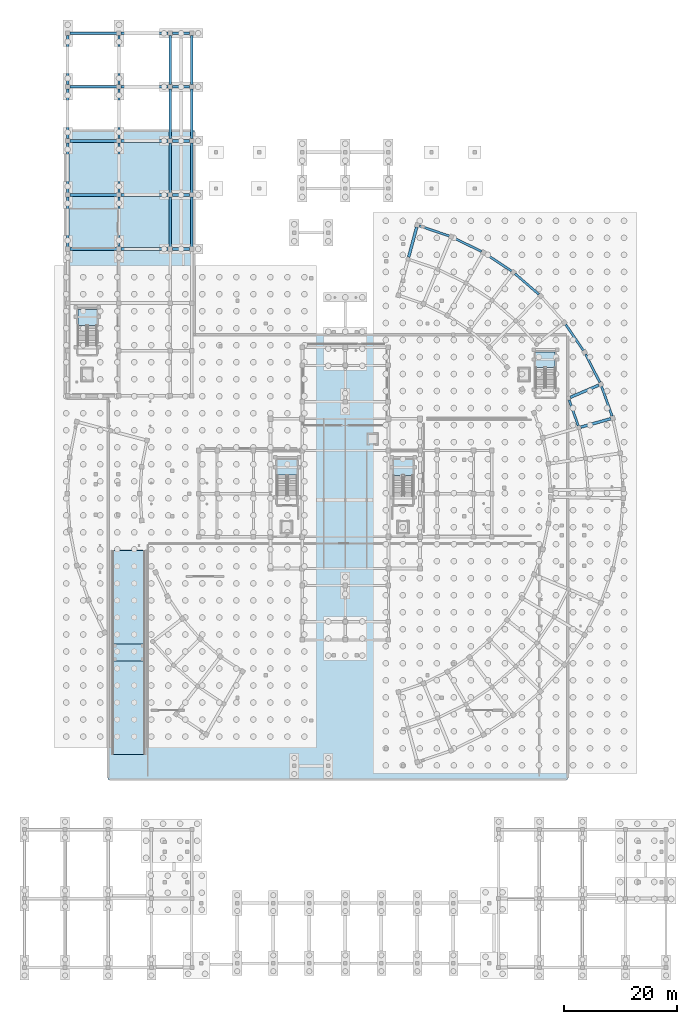
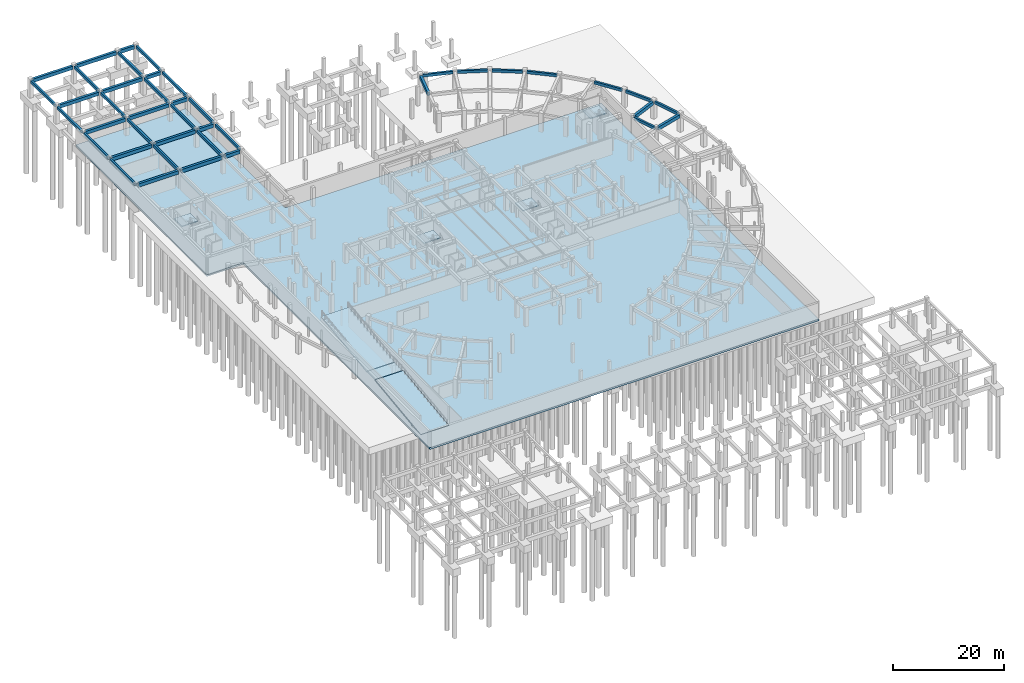
# One storey, part 21 of 33: 42 beams, 8 slabs, 4 elements without a shape of their own.
"""IFC4 building model written with IfcOpenShell, lengths in metres."""

from ifc_helpers import new_model, si_unit, direction, frame, origin, origin_2d, place, context, subcontext, project, spatial, polyline, rectangle, outline, extrude, material, layer, layer_set, material_profile, profile_set, type_object, element, aggregate, save


model = new_model("IFC4")

# Units and contexts
model_context = context("Model", 3, precision=1e-05, world=origin(), true_north=direction((0.0, 1.0)))
body_context = subcontext(model_context, "Body", "Model", "MODEL_VIEW")
ifc_project = project(units=[si_unit("LENGTHUNIT", "METRE"), si_unit("AREAUNIT", "SQUARE_METRE"), si_unit("VOLUMEUNIT", "CUBIC_METRE"), si_unit("PLANEANGLEUNIT", "RADIAN"), si_unit("MASSUNIT", "GRAM", prefix="KILO")], contexts=[model_context])

# Site, building, storey
site_placement = place(None, origin())
site = spatial("IfcSite", under=ifc_project, at=site_placement, CompositionType="ELEMENT")
building_placement = place(site_placement, origin())
building = spatial("IfcBuilding", under=site, at=building_placement, Name="Saryqyr Civic Hall", CompositionType="ELEMENT")
storey_placement = place(building_placement, frame((0.0, 0.0, -4.199951171875)))
storey = spatial("IfcBuildingStorey", under=building, at=storey_placement, Name="B1", CompositionType="ELEMENT", Elevation=-4.199951171875)

# Beams
ifc_material_1 = material(Name="Concrete C35/45", Category="concrete")
ifc_material_profile_1 = material_profile(ifc_material_1, rectangle(XDim=0.39990234375, YDim=0.60009765625, at=origin_2d()), Name="RC 400x600")
ifc_profile_set_1 = profile_set([ifc_material_profile_1], Name="Concrete C35/45")
beam_type_1 = type_object("IfcBeamType", Name="STR-BM-RC400x600", PredefinedType="BEAM", material=ifc_profile_set_1)
beam_1_placement = place(storey_placement, frame((98.074462890625, 95.954833984375, 3.579833984375), z_axis=(-0.333214233521, 0.942851141262, 0.0), x_axis=(-0.942851141262, -0.333214233521, 0.0)))
element("IfcBeam", 1, at=beam_1_placement, inside=storey, type_object=beam_type_1, Name="Beam V6-CBM-MID02-B1", PredefinedType="BEAM", context=body_context, shape_type="SweptSolid", body=[
    extrude(rectangle(XDim=0.39990234375, YDim=0.60009765625, at=origin_2d()), origin(), (0.0, 0.0, 1.0), 4.82763671875),
])
for number, where, z_axis, x_axis, name in (
    (2, (8.050048828125, 127.5048828125, 3.579833984375), (0.0, 1.0, 0.0), (-1.0, 0.0, 0.0), "Beam V3-BM-NS-1-4-B1"),
    (3, (8.050048828125, 137.034912109375, 3.579833984375), (0.0, 1.0, 0.0), (-1.0, 0.0, 0.0), "Beam V3-BM-NS-1-5-B1"),
    (4, (8.050048828125, 146.56494140625, 3.579833984375), (0.0, 1.0, 0.0), (-1.0, 0.0, 0.0), "Beam V3-BM-NS-1-6-B1"),
):
    element("IfcBeam", number, at=place(storey_placement, frame(where, z_axis=z_axis, x_axis=x_axis)), inside=storey, type_object=beam_type_1, Name=name, PredefinedType="BEAM", context=body_context, shape_type="SweptSolid", body=[
        extrude(rectangle(XDim=0.39990234375, YDim=0.60009765625, at=origin_2d()), origin(), (0.0, 0.0, 1.0), 8.780029296875),
    ])
beam_2_placement = place(storey_placement, frame((8.050048828125, 156.094970703125, 3.579833984375), z_axis=(0.0, 1.0, 0.0), x_axis=(-1.0, 0.0, 0.0)))
element("IfcBeam", 5, at=beam_2_placement, inside=storey, type_object=beam_type_1, Name="Beam V3-BM-NS-1-7-B1", PredefinedType="BEAM", context=body_context, shape_type="SweptSolid", body=[
    extrude(rectangle(XDim=0.39990234375, YDim=0.60009765625, at=origin_2d()), origin(), (0.0, 0.0, 1.0), 8.679931640625),
])
for number, where, z_axis, x_axis, name in (
    (6, (17.10009765625, 127.5048828125, 3.579833984375), (0.0, 1.0, 0.0), (-1.0, 0.0, 0.0), "Beam V3-BM-NS-2-4-B1"),
    (7, (17.10009765625, 137.034912109375, 3.579833984375), (0.0, 1.0, 0.0), (-1.0, 0.0, 0.0), "Beam V3-BM-NS-2-5-B1"),
    (8, (17.10009765625, 146.56494140625, 3.579833984375), (0.0, 1.0, 0.0), (-1.0, 0.0, 0.0), "Beam V3-BM-NS-2-6-B1"),
):
    element("IfcBeam", number, at=place(storey_placement, frame(where, z_axis=z_axis, x_axis=x_axis)), inside=storey, type_object=beam_type_1, Name=name, PredefinedType="BEAM", context=body_context, shape_type="SweptSolid", body=[
        extrude(rectangle(XDim=0.39990234375, YDim=0.60009765625, at=origin_2d()), origin(), (0.0, 0.0, 1.0), 8.780029296875),
    ])
beam_3_placement = place(storey_placement, frame((17.10009765625, 156.094970703125, 3.579833984375), z_axis=(0.0, 1.0, 0.0), x_axis=(-1.0, 0.0, 0.0)))
element("IfcBeam", 9, at=beam_3_placement, inside=storey, type_object=beam_type_1, Name="Beam V3-BM-NS-2-7-B1", PredefinedType="BEAM", context=body_context, shape_type="SweptSolid", body=[
    extrude(rectangle(XDim=0.39990234375, YDim=0.60009765625, at=origin_2d()), origin(), (0.0, 0.0, 1.0), 8.679931640625),
])
for number, where, z_axis, x_axis, name in (
    (10, (26.14990234375, 127.5048828125, 3.579833984375), (0.0, 1.0, 0.0), (-1.0, 0.0, 0.0), "Beam V3-BM-NS-3-4-B1"),
    (11, (26.14990234375, 137.034912109375, 3.579833984375), (0.0, 1.0, 0.0), (-1.0, 0.0, 0.0), "Beam V3-BM-NS-3-5-B1"),
    (12, (26.14990234375, 146.56494140625, 3.579833984375), (0.0, 1.0, 0.0), (-1.0, 0.0, 0.0), "Beam V3-BM-NS-3-6-B1"),
):
    element("IfcBeam", number, at=place(storey_placement, frame(where, z_axis=z_axis, x_axis=x_axis)), inside=storey, type_object=beam_type_1, Name=name, PredefinedType="BEAM", context=body_context, shape_type="SweptSolid", body=[
        extrude(rectangle(XDim=0.39990234375, YDim=0.60009765625, at=origin_2d()), origin(), (0.0, 0.0, 1.0), 8.780029296875),
    ])
beam_4_placement = place(storey_placement, frame((26.14990234375, 156.094970703125, 3.579833984375), z_axis=(0.0, 1.0, 0.0), x_axis=(-1.0, 0.0, 0.0)))
element("IfcBeam", 13, at=beam_4_placement, inside=storey, type_object=beam_type_1, Name="Beam V3-BM-NS-3-7-B1", PredefinedType="BEAM", context=body_context, shape_type="SweptSolid", body=[
    extrude(rectangle(XDim=0.39990234375, YDim=0.60009765625, at=origin_2d()), origin(), (0.0, 0.0, 1.0), 8.679931640625),
])
for number, where, z_axis, x_axis, name in (
    (14, (29.949951171875, 127.5048828125, 3.579833984375), (0.0, 1.0, 0.0), (-1.0, 0.0, 0.0), "Beam V3-BM-NS-4-4-B1"),
    (15, (29.949951171875, 137.034912109375, 3.579833984375), (0.0, 1.0, 0.0), (-1.0, 0.0, 0.0), "Beam V3-BM-NS-4-5-B1"),
    (16, (29.949951171875, 146.56494140625, 3.579833984375), (0.0, 1.0, 0.0), (-1.0, 0.0, 0.0), "Beam V3-BM-NS-4-6-B1"),
):
    element("IfcBeam", number, at=place(storey_placement, frame(where, z_axis=z_axis, x_axis=x_axis)), inside=storey, type_object=beam_type_1, Name=name, PredefinedType="BEAM", context=body_context, shape_type="SweptSolid", body=[
        extrude(rectangle(XDim=0.39990234375, YDim=0.60009765625, at=origin_2d()), origin(), (0.0, 0.0, 1.0), 8.780029296875),
    ])
beam_5_placement = place(storey_placement, frame((29.949951171875, 156.094970703125, 3.579833984375), z_axis=(0.0, 1.0, 0.0), x_axis=(-1.0, 0.0, 0.0)))
element("IfcBeam", 17, at=beam_5_placement, inside=storey, type_object=beam_type_1, Name="Beam V3-BM-NS-4-7-B1", PredefinedType="BEAM", context=body_context, shape_type="SweptSolid", body=[
    extrude(rectangle(XDim=0.39990234375, YDim=0.60009765625, at=origin_2d()), origin(), (0.0, 0.0, 1.0), 8.679931640625),
])
ifc_material_profile_2 = material_profile(ifc_material_1, rectangle(XDim=0.39990234375, YDim=0.60009765625, at=origin_2d()), Name="RC 400x600")
ifc_profile_set_2 = profile_set([ifc_material_profile_2], Name="Concrete C35/45")
beam_type_2 = type_object("IfcBeamType", Name="STR-BM-RC400x600-EXT", PredefinedType="BEAM", material=ifc_profile_set_2)
beam_6_placement = place(storey_placement, frame((104.033203125, 97.662353515625, 3.579833984375), z_axis=(-0.33321840695, 0.942849666315, 0.0), x_axis=(-0.942849666315, -0.33321840695, 0.0)))
element("IfcBeam", 18, at=beam_6_placement, inside=storey, type_object=beam_type_2, Name="Beam V6-CBM-OUT02-B1", PredefinedType="BEAM", context=body_context, shape_type="SweptSolid", body=[
    extrude(rectangle(XDim=0.39990234375, YDim=0.60009765625, at=origin_2d()), origin(), (0.0, 0.0, 1.0), 5.57861328125),
])
beam_7_placement = place(storey_placement, frame((101.8798828125, 103.610107421875, 3.579833984375), z_axis=(-0.451916501915, 0.892060241966, 0.0), x_axis=(-0.892060241966, -0.451916501915, 0.0)))
element("IfcBeam", 19, at=beam_7_placement, inside=storey, type_object=beam_type_2, Name="Beam V6-CBM-OUT03-B1", PredefinedType="BEAM", context=body_context, shape_type="SweptSolid", body=[
    extrude(rectangle(XDim=0.39990234375, YDim=0.60009765625, at=origin_2d()), origin(), (0.0, 0.0, 1.0), 5.578369140625),
])
beam_8_placement = place(storey_placement, frame((98.978271484375, 109.230712890625, 3.579833984375), z_axis=(-0.563104590572, 0.826385636417, 0.0), x_axis=(-0.826385636417, -0.563104590572, 0.0)))
element("IfcBeam", 20, at=beam_8_placement, inside=storey, type_object=beam_type_2, Name="Beam V6-CBM-OUT04-B1", PredefinedType="BEAM", context=body_context, shape_type="SweptSolid", body=[
    extrude(rectangle(XDim=0.39990234375, YDim=0.60009765625, at=origin_2d()), origin(), (0.0, 0.0, 1.0), 5.57861328125),
])
beam_9_placement = place(storey_placement, frame((91.13427734375, 119.122802734375, 3.579833984375), z_axis=(-0.755642872399, 0.654983854299, 0.0), x_axis=(-0.654983854299, -0.755642872399, 0.0)))
element("IfcBeam", 21, at=beam_9_placement, inside=storey, type_object=beam_type_2, Name="Beam V6-CBM-OUT06-B1", PredefinedType="BEAM", context=body_context, shape_type="SweptSolid", body=[
    extrude(rectangle(XDim=0.39990234375, YDim=0.60009765625, at=origin_2d()), origin(), (0.0, 0.0, 1.0), 5.578369140625),
])
beam_10_placement = place(storey_placement, frame((86.322998046875, 123.229248046875, 3.579833984375), z_axis=(-0.833756519885, 0.552132289899, 0.0), x_axis=(-0.552132289899, -0.833756519885, 0.0)))
element("IfcBeam", 22, at=beam_10_placement, inside=storey, type_object=beam_type_2, Name="Beam V6-CBM-OUT07-B1", PredefinedType="BEAM", context=body_context, shape_type="SweptSolid", body=[
    extrude(rectangle(XDim=0.39990234375, YDim=0.60009765625, at=origin_2d()), origin(), (0.0, 0.0, 1.0), 5.57861328125),
])
beam_11_placement = place(storey_placement, frame((81.0224609375, 126.681396484375, 3.579833984375), z_axis=(-0.897987188785, 0.440021600353, 0.0), x_axis=(-0.440021600353, -0.897987188785, 0.0)))
element("IfcBeam", 23, at=beam_11_placement, inside=storey, type_object=beam_type_2, Name="Beam V6-CBM-OUT08-B1", PredefinedType="BEAM", context=body_context, shape_type="SweptSolid", body=[
    extrude(rectangle(XDim=0.39990234375, YDim=0.60009765625, at=origin_2d()), origin(), (0.0, 0.0, 1.0), 5.578369140625),
])
beam_12_placement = place(storey_placement, frame((75.3212890625, 129.42138671875, 3.579833984375), z_axis=(-0.947193680786, 0.320662020012, 0.0), x_axis=(-0.320662020012, -0.947193680786, 0.0)))
element("IfcBeam", 24, at=beam_12_placement, inside=storey, type_object=beam_type_2, Name="Beam V6-CBM-OUT09-B1", PredefinedType="BEAM", context=body_context, shape_type="SweptSolid", body=[
    extrude(rectangle(XDim=0.39990234375, YDim=0.60009765625, at=origin_2d()), origin(), (0.0, 0.0, 1.0), 5.57861328125),
])
ifc_material_2 = material(Name="Concrete C40/50", Category="concrete")
ifc_material_profile_3 = material_profile(ifc_material_2, rectangle(XDim=0.5, YDim=0.75, at=origin_2d()), Name="RC 500x750")
ifc_profile_set_3 = profile_set([ifc_material_profile_3], Name="Concrete C40/50")
beam_type_3 = type_object("IfcBeamType", Name="STR-BM-RC500x750", PredefinedType="BEAM", material=ifc_profile_set_3)
beam_13_placement = place(storey_placement, frame((98.52783203125, 95.719970703125, 3.5048828125), z_axis=(0.962420694105, 0.27156289798, 0.0), x_axis=(-0.27156289798, 0.962420694105, 0.0)))
element("IfcBeam", 25, at=beam_13_placement, inside=storey, type_object=beam_type_3, Name="Beam V6-RBM-B02-B1", PredefinedType="BEAM", context=body_context, shape_type="SweptSolid", body=[
    extrude(rectangle(XDim=0.5, YDim=0.75, at=origin_2d()), origin(), (0.0, 0.0, 1.0), 5.47509765625),
])
beam_14_placement = place(storey_placement, frame((96.671142578125, 100.974365234375, 3.5048828125), z_axis=(0.91936861433, 0.393397192396, 0.0), x_axis=(-0.393397192396, 0.91936861433, 0.0)))
element("IfcBeam", 26, at=beam_14_placement, inside=storey, type_object=beam_type_3, Name="Beam V6-RBM-B03-B1", PredefinedType="BEAM", context=body_context, shape_type="SweptSolid", body=[
    extrude(rectangle(XDim=0.5, YDim=0.75, at=origin_2d()), origin(), (0.0, 0.0, 1.0), 5.474853515625),
])
beam_15_placement = place(storey_placement, frame((68.168212890625, 125.6796875, 3.5048828125), z_axis=(0.258764317977, 0.965940488716, 0.0), x_axis=(-0.965940488716, 0.258764317977, 0.0)))
element("IfcBeam", 27, at=beam_15_placement, inside=storey, type_object=beam_type_3, Name="Beam V6-RBM-B10-B1", PredefinedType="BEAM", context=body_context, shape_type="SweptSolid", body=[
    extrude(rectangle(XDim=0.5, YDim=0.75, at=origin_2d()), origin(), (0.0, 0.0, 1.0), 5.47509765625),
])
beam_16_placement = place(storey_placement, frame((8.425048828125, 127.1298828125, 3.5048828125), z_axis=(1.0, 0.0, 0.0), x_axis=(0.0, 1.0, 0.0)))
element("IfcBeam", 28, at=beam_16_placement, inside=storey, type_object=beam_type_3, Name="Beam V3-BM-EW-4-1-B1", PredefinedType="BEAM", context=body_context, shape_type="SweptSolid", body=[
    extrude(rectangle(XDim=0.5, YDim=0.75, at=origin_2d()), origin(), (0.0, 0.0, 1.0), 8.300048828125),
])
beam_17_placement = place(storey_placement, frame((17.47509765625, 127.1298828125, 3.5048828125), z_axis=(1.0, 0.0, 0.0), x_axis=(0.0, 1.0, 0.0)))
element("IfcBeam", 29, at=beam_17_placement, inside=storey, type_object=beam_type_3, Name="Beam V3-BM-EW-4-2-B1", PredefinedType="BEAM", context=body_context, shape_type="SweptSolid", body=[
    extrude(rectangle(XDim=0.5, YDim=0.75, at=origin_2d()), origin(), (0.0, 0.0, 1.0), 8.2998046875),
])
beam_18_placement = place(storey_placement, frame((26.52490234375, 127.1298828125, 3.5048828125), z_axis=(1.0, 0.0, 0.0), x_axis=(0.0, 1.0, 0.0)))
element("IfcBeam", 30, at=beam_18_placement, inside=storey, type_object=beam_type_3, Name="Beam V3-BM-EW-4-3-B1", PredefinedType="BEAM", context=body_context, shape_type="SweptSolid", body=[
    extrude(rectangle(XDim=0.5, YDim=0.75, at=origin_2d()), origin(), (0.0, 0.0, 1.0), 3.050048828125),
])
beam_19_placement = place(storey_placement, frame((8.425048828125, 136.659912109375, 3.5048828125), z_axis=(1.0, 0.0, 0.0), x_axis=(0.0, 1.0, 0.0)))
element("IfcBeam", 31, at=beam_19_placement, inside=storey, type_object=beam_type_3, Name="Beam V3-BM-EW-5-1-B1", PredefinedType="BEAM", context=body_context, shape_type="SweptSolid", body=[
    extrude(rectangle(XDim=0.5, YDim=0.75, at=origin_2d()), origin(), (0.0, 0.0, 1.0), 8.300048828125),
])
beam_20_placement = place(storey_placement, frame((17.47509765625, 136.659912109375, 3.5048828125), z_axis=(1.0, 0.0, 0.0), x_axis=(0.0, 1.0, 0.0)))
element("IfcBeam", 32, at=beam_20_placement, inside=storey, type_object=beam_type_3, Name="Beam V3-BM-EW-5-2-B1", PredefinedType="BEAM", context=body_context, shape_type="SweptSolid", body=[
    extrude(rectangle(XDim=0.5, YDim=0.75, at=origin_2d()), origin(), (0.0, 0.0, 1.0), 8.2998046875),
])
beam_21_placement = place(storey_placement, frame((26.52490234375, 136.659912109375, 3.5048828125), z_axis=(1.0, 0.0, 0.0), x_axis=(0.0, 1.0, 0.0)))
element("IfcBeam", 33, at=beam_21_placement, inside=storey, type_object=beam_type_3, Name="Beam V3-BM-EW-5-3-B1", PredefinedType="BEAM", context=body_context, shape_type="SweptSolid", body=[
    extrude(rectangle(XDim=0.5, YDim=0.75, at=origin_2d()), origin(), (0.0, 0.0, 1.0), 3.050048828125),
])
beam_22_placement = place(storey_placement, frame((8.425048828125, 146.18994140625, 3.5048828125), z_axis=(1.0, 0.0, 0.0), x_axis=(0.0, 1.0, 0.0)))
element("IfcBeam", 34, at=beam_22_placement, inside=storey, type_object=beam_type_3, Name="Beam V3-BM-EW-6-1-B1", PredefinedType="BEAM", context=body_context, shape_type="SweptSolid", body=[
    extrude(rectangle(XDim=0.5, YDim=0.75, at=origin_2d()), origin(), (0.0, 0.0, 1.0), 8.300048828125),
])
beam_23_placement = place(storey_placement, frame((17.47509765625, 146.18994140625, 3.5048828125), z_axis=(1.0, 0.0, 0.0), x_axis=(0.0, 1.0, 0.0)))
element("IfcBeam", 35, at=beam_23_placement, inside=storey, type_object=beam_type_3, Name="Beam V3-BM-EW-6-2-B1", PredefinedType="BEAM", context=body_context, shape_type="SweptSolid", body=[
    extrude(rectangle(XDim=0.5, YDim=0.75, at=origin_2d()), origin(), (0.0, 0.0, 1.0), 8.2998046875),
])
beam_24_placement = place(storey_placement, frame((26.52490234375, 146.18994140625, 3.5048828125), z_axis=(1.0, 0.0, 0.0), x_axis=(0.0, 1.0, 0.0)))
element("IfcBeam", 36, at=beam_24_placement, inside=storey, type_object=beam_type_3, Name="Beam V3-BM-EW-6-3-B1", PredefinedType="BEAM", context=body_context, shape_type="SweptSolid", body=[
    extrude(rectangle(XDim=0.5, YDim=0.75, at=origin_2d()), origin(), (0.0, 0.0, 1.0), 3.050048828125),
])
beam_25_placement = place(storey_placement, frame((8.425048828125, 155.719970703125, 3.5048828125), z_axis=(1.0, 0.0, 0.0), x_axis=(0.0, 1.0, 0.0)))
element("IfcBeam", 37, at=beam_25_placement, inside=storey, type_object=beam_type_3, Name="Beam V3-BM-EW-7-1-B1", PredefinedType="BEAM", context=body_context, shape_type="SweptSolid", body=[
    extrude(rectangle(XDim=0.5, YDim=0.75, at=origin_2d()), origin(), (0.0, 0.0, 1.0), 8.300048828125),
])
beam_26_placement = place(storey_placement, frame((17.47509765625, 155.719970703125, 3.5048828125), z_axis=(1.0, 0.0, 0.0), x_axis=(0.0, 1.0, 0.0)))
element("IfcBeam", 38, at=beam_26_placement, inside=storey, type_object=beam_type_3, Name="Beam V3-BM-EW-7-2-B1", PredefinedType="BEAM", context=body_context, shape_type="SweptSolid", body=[
    extrude(rectangle(XDim=0.5, YDim=0.75, at=origin_2d()), origin(), (0.0, 0.0, 1.0), 8.2998046875),
])
beam_27_placement = place(storey_placement, frame((26.52490234375, 155.719970703125, 3.5048828125), z_axis=(1.0, 0.0, 0.0), x_axis=(0.0, 1.0, 0.0)))
element("IfcBeam", 39, at=beam_27_placement, inside=storey, type_object=beam_type_3, Name="Beam V3-BM-EW-7-3-B1", PredefinedType="BEAM", context=body_context, shape_type="SweptSolid", body=[
    extrude(rectangle(XDim=0.5, YDim=0.75, at=origin_2d()), origin(), (0.0, 0.0, 1.0), 3.050048828125),
])
beam_28_placement = place(storey_placement, frame((8.425048828125, 165.14990234375, 3.5048828125), z_axis=(1.0, 0.0, 0.0), x_axis=(0.0, 1.0, 0.0)))
element("IfcBeam", 40, at=beam_28_placement, inside=storey, type_object=beam_type_3, Name="Beam V3-BM-EW-8-1-B1", PredefinedType="BEAM", context=body_context, shape_type="SweptSolid", body=[
    extrude(rectangle(XDim=0.5, YDim=0.75, at=origin_2d()), origin(), (0.0, 0.0, 1.0), 8.300048828125),
])
beam_29_placement = place(storey_placement, frame((17.47509765625, 165.14990234375, 3.5048828125), z_axis=(1.0, 0.0, 0.0), x_axis=(0.0, 1.0, 0.0)))
element("IfcBeam", 41, at=beam_29_placement, inside=storey, type_object=beam_type_3, Name="Beam V3-BM-EW-8-2-B1", PredefinedType="BEAM", context=body_context, shape_type="SweptSolid", body=[
    extrude(rectangle(XDim=0.5, YDim=0.75, at=origin_2d()), origin(), (0.0, 0.0, 1.0), 8.2998046875),
])
beam_30_placement = place(storey_placement, frame((26.52490234375, 165.14990234375, 3.5048828125), z_axis=(1.0, 0.0, 0.0), x_axis=(0.0, 1.0, 0.0)))
element("IfcBeam", 42, at=beam_30_placement, inside=storey, type_object=beam_type_3, Name="Beam V3-BM-EW-8-3-B1", PredefinedType="BEAM", context=body_context, shape_type="SweptSolid", body=[
    extrude(rectangle(XDim=0.5, YDim=0.75, at=origin_2d()), origin(), (0.0, 0.0, 1.0), 3.050048828125),
])

# Slabs
ifc_layer_1 = layer(ifc_material_1, 0.39990234375, Name="Concrete C35/45")
ifc_layer_set_1 = layer_set([ifc_layer_1], Name="Concrete C35/45")
slab_type_1 = type_object("IfcSlabType", Name="STR-SLB-BASE-400", PredefinedType="BASESLAB", material=ifc_layer_set_1)
slab_1_placement = place(storey_placement, frame((0.0, 0.0, -0.400146484375)))
element("IfcSlab", 43, at=slab_1_placement, inside=storey, type_object=slab_type_1, Name="Slab SLB-B1-MAT", PredefinedType="BASESLAB", context=body_context, shape_type="SweptSolid", body=[
    extrude(outline(polyline([(15.199951171875, 100.800048828125), (7.60009765625, 100.800048828125), (7.60009765625, 148.0), (30.39990234375, 148.0), (30.39990234375, 112.0), (96.199951171875, 112.0), (96.199951171875, 33.60009765625), (15.199951171875, 33.60009765625), (15.199951171875, 100.800048828125)]), holes=[polyline([(21.739990234375, 41.39990234375), (15.860107421875, 41.39990234375), (15.860107421875, 37.97998046875), (21.739990234375, 37.97998046875), (21.739990234375, 41.39990234375)])]), origin(), (0.0, 0.0, 1.0), 0.400146484375),
])
ifc_layer_2 = layer(ifc_material_1, 0.199951171875, Name="Concrete C35/45")
ifc_layer_set_2 = layer_set([ifc_layer_2], Name="Concrete C35/45")
slab_type_2 = type_object("IfcSlabType", Name="STR-SLB-LND-200", PredefinedType="LANDING", material=ifc_layer_set_2)
slab_2_placement = place(storey_placement, frame((0.0, 0.0, 1.89990234375)))
element("IfcSlab", 44, at=slab_2_placement, inside=storey, type_object=slab_type_2, Name="Car park vehicle ramp R1 half landing", PredefinedType="LANDING", context=body_context, shape_type="SweptSolid", body=[
    extrude(outline(polyline([(15.949951171875, 54.52001953125), (21.64990234375, 54.52001953125), (21.64990234375, 57.47998046875), (15.949951171875, 57.47998046875), (15.949951171875, 54.52001953125)])), origin(), (0.0, 0.0, 1.0), 0.199951171875),
])

# Stair, slab
stair_type_1 = type_object("IfcStairType", Name="INT-STR-ST-1", PredefinedType="HALF_TURN_STAIR", material=ifc_material_1)
stair_1_placement = place(storey_placement, origin())
stair_1 = element("IfcStair", 45, at=stair_1_placement, inside=storey, type_object=stair_type_1, Name="B1 Protected Exit Stair ST-1", PredefinedType="HALF_TURN_STAIR")
slab_3_placement = place(storey_placement, frame((0.0, 0.0, 1.89990234375)))
slab_3 = element("IfcSlab", 46, at=slab_3_placement, type_object=slab_type_2, Name="ST-1 landing 1", PredefinedType="LANDING", context=body_context, shape_type="SweptSolid", body=[
    extrude(outline(polyline([(48.5, 87.25), (48.5, 90.0), (45.0, 90.0), (45.0, 87.25), (48.5, 87.25)])), origin(), (0.0, 0.0, 1.0), 0.199951171875),
])
aggregate(stair_1, [slab_3])

stair_type_2 = type_object("IfcStairType", Name="INT-STR-ST-2", PredefinedType="HALF_TURN_STAIR", material=ifc_material_1)
stair_2_placement = place(storey_placement, origin())
stair_2 = element("IfcStair", 47, at=stair_2_placement, inside=storey, type_object=stair_type_2, Name="B1 Protected Exit Stair ST-2", PredefinedType="HALF_TURN_STAIR")
slab_4_placement = place(storey_placement, frame((0.0, 0.0, 1.89990234375)))
slab_4 = element("IfcSlab", 48, at=slab_4_placement, type_object=slab_type_2, Name="ST-2 landing 1", PredefinedType="LANDING", context=body_context, shape_type="SweptSolid", body=[
    extrude(outline(polyline([(68.89990234375, 87.199951171875), (68.89990234375, 90.0), (65.5, 90.0), (65.5, 87.199951171875), (68.89990234375, 87.199951171875)])), origin(), (0.0, 0.0, 1.0), 0.199951171875),
])
aggregate(stair_2, [slab_4])

stair_type_3 = type_object("IfcStairType", Name="INT-STR-ST-3", PredefinedType="HALF_TURN_STAIR", material=ifc_material_1)
stair_3_placement = place(storey_placement, origin())
stair_3 = element("IfcStair", 49, at=stair_3_placement, inside=storey, type_object=stair_type_3, Name="B1 Protected Exit Stair ST-3", PredefinedType="HALF_TURN_STAIR")
slab_5_placement = place(storey_placement, frame((0.0, 0.0, 1.89990234375)))
slab_5 = element("IfcSlab", 50, at=slab_5_placement, type_object=slab_type_2, Name="ST-3 landing 1", PredefinedType="LANDING", context=body_context, shape_type="SweptSolid", body=[
    extrude(outline(polyline([(13.199951171875, 113.679931640625), (13.199951171875, 116.5), (9.840087890625, 116.5), (9.840087890625, 113.679931640625), (13.199951171875, 113.679931640625)])), origin(), (0.0, 0.0, 1.0), 0.199951171875),
])
aggregate(stair_3, [slab_5])

stair_type_4 = type_object("IfcStairType", Name="INT-STR-ST-6", PredefinedType="HALF_TURN_STAIR", material=ifc_material_1)
stair_4_placement = place(storey_placement, origin())
stair_4 = element("IfcStair", 51, at=stair_4_placement, inside=storey, type_object=stair_type_4, Name="B1 Protected Exit Stair ST-6", PredefinedType="HALF_TURN_STAIR")
slab_6_placement = place(storey_placement, frame((0.0, 0.0, 1.89990234375)))
slab_6 = element("IfcSlab", 52, at=slab_6_placement, type_object=slab_type_2, Name="ST-6 landing 1", PredefinedType="LANDING", context=body_context, shape_type="SweptSolid", body=[
    extrude(outline(polyline([(94.0, 106.219970703125), (94.0, 109.0), (90.56005859375, 109.0), (90.56005859375, 106.219970703125), (94.0, 106.219970703125)])), origin(), (0.0, 0.0, 1.0), 0.199951171875),
])
aggregate(stair_4, [slab_6])

# Slabs
ifc_layer_3 = layer(ifc_material_1, 0.25, Name="Concrete C35/45")
ifc_layer_set_3 = layer_set([ifc_layer_3], Name="Concrete C35/45")
slab_type_3 = type_object("IfcSlabType", Name="STR-SLB-RMP-250", PredefinedType="FLOOR", material=ifc_layer_set_3)
slab_7_placement = place(storey_placement, frame((15.8798828125, 38.0, 0.0), z_axis=(0.0, -0.126245613241, 0.991999014686), x_axis=(1.0, 0.0, 0.0)))
element("IfcSlab", 53, at=slab_7_placement, inside=storey, type_object=slab_type_3, Name="Car park structural vehicle ramp slab lower run", PredefinedType="FLOOR", context=body_context, shape_type="SweptSolid", body=[
    extrude(outline(polyline([(0.0, 0.0), (5.840087890625, 0.0), (5.840087890625, 16.633081037110433), (0.0, 16.633081037110433), (0.0, 0.0)])), origin(), (0.0, 0.0, -1.0), 0.25),
])
slab_8_placement = place(storey_placement, frame((15.8798828125, 57.5, 2.099853515625), z_axis=(0.0, -0.126260057279, 0.991997176375), x_axis=(1.0, 0.0, 0.0)))
element("IfcSlab", 54, at=slab_8_placement, inside=storey, type_object=slab_type_3, Name="Car park structural vehicle ramp slab upper run", PredefinedType="FLOOR", context=body_context, shape_type="SweptSolid", body=[
    extrude(outline(polyline([(0.0, 0.0), (5.840087890625, 0.0), (5.840087890625, 16.633111860556546), (0.0, 16.633111860556546), (0.0, 0.0)])), origin(), (0.0, 0.0, -1.0), 0.25),
])

save(model, "model.ifc")
